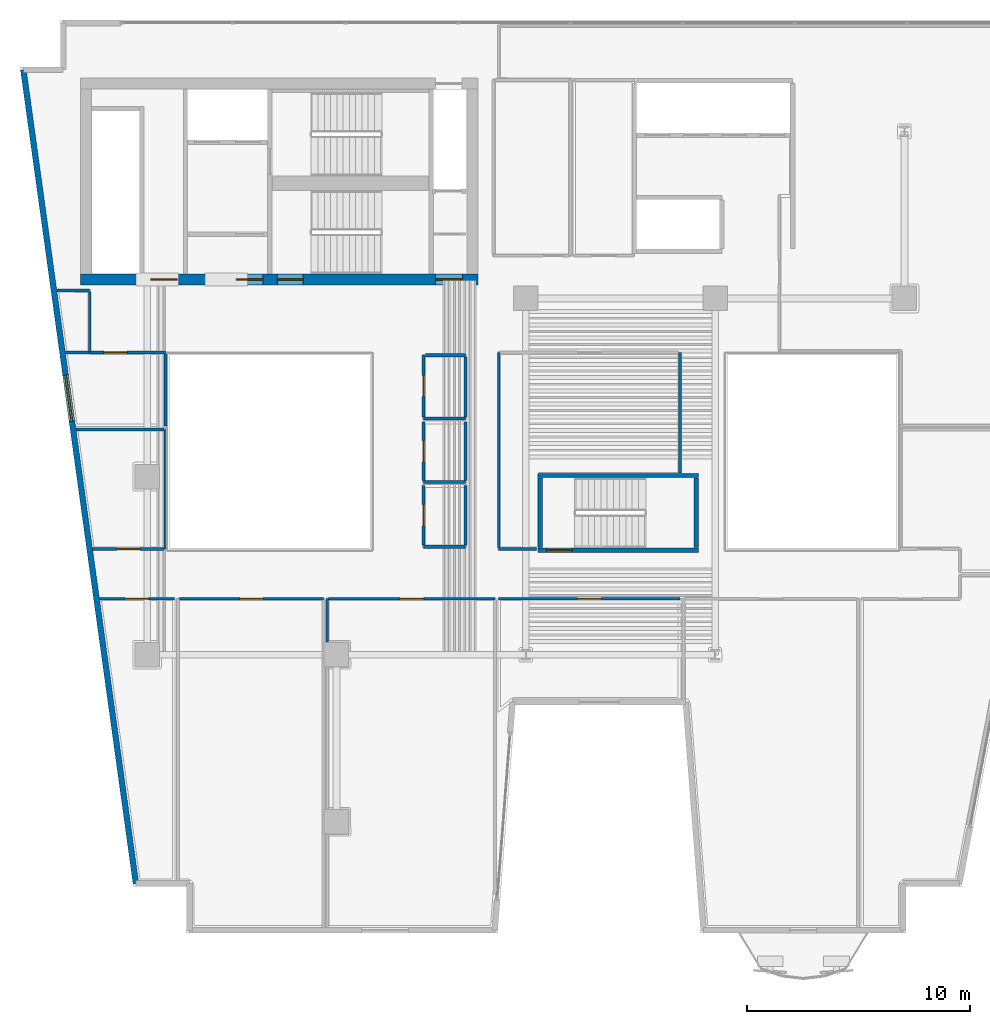
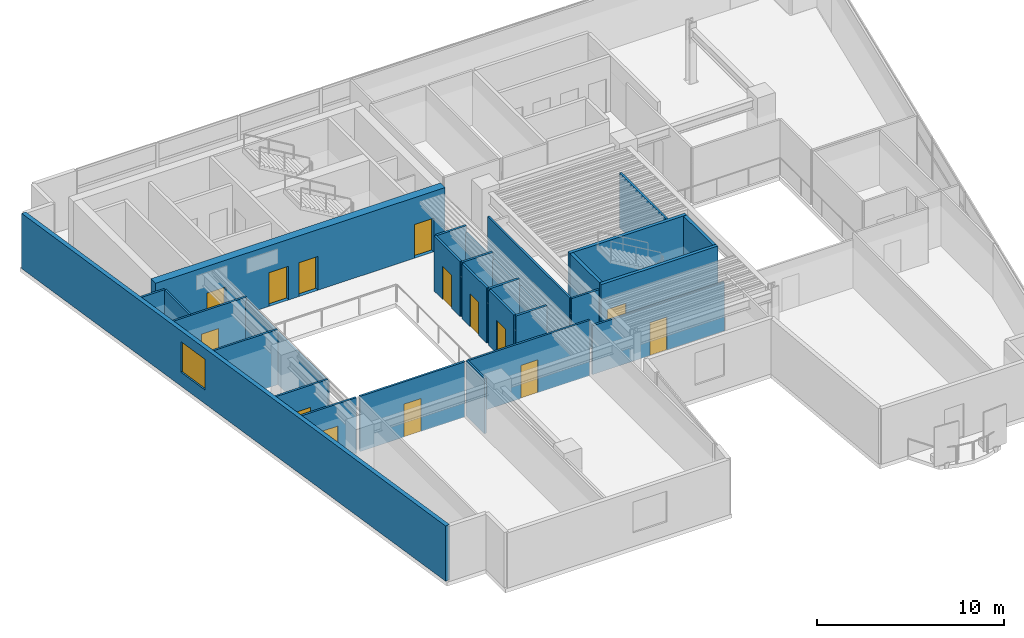
# One storey, part 7 of 14: 31 walls, 14 doors, 1 window, 15 openings.
"""IFC4 building model written with IfcOpenShell, lengths in metres."""

from ifc_helpers import new_model, si_unit, direction, frame, frame_2d, origin, place, context, subcontext, project, spatial, rectangle, extrude, material, layer, layer_set, type_object, element, fill, save


model = new_model("IFC4")

# Units and contexts
model_context = context("Model", 3, precision=1e-05, world=origin(), true_north=direction((0.0, 1.0)))
body_context = subcontext(model_context, "Body", "Model", "MODEL_VIEW")
ifc_project = project(units=[si_unit("LENGTHUNIT", "METRE"), si_unit("AREAUNIT", "SQUARE_METRE"), si_unit("VOLUMEUNIT", "CUBIC_METRE"), si_unit("PLANEANGLEUNIT", "RADIAN"), si_unit("MASSUNIT", "GRAM", prefix="KILO")], contexts=[model_context])

# Site, building, storey
site_placement = place(None, origin())
site = spatial("IfcSite", under=ifc_project, at=site_placement, CompositionType="ELEMENT")
building_placement = place(site_placement, origin())
building = spatial("IfcBuilding", under=site, at=building_placement, Name="Caeloran Harvest Quay", CompositionType="ELEMENT")
storey_placement = place(building_placement, frame((0.0, 0.0, 174.60009765625)))
storey = spatial("IfcBuildingStorey", under=building, at=storey_placement, Name="L41", CompositionType="ELEMENT", Elevation=174.60009765625)

# Wall, opening, window
ifc_material_1 = material(Name="Precast concrete C50/60", Category="concrete")
ifc_layer_1 = layer(ifc_material_1, 0.260009765625, Name="Precast concrete C50/60")
ifc_layer_set_1 = layer_set([ifc_layer_1], Name="Precast concrete C50/60")
wall_type_1 = type_object("IfcWallType", Name="ENV-WALL-EW-260", PredefinedType="STANDARD", material=ifc_layer_set_1)
wall_1_placement = place(storey_placement, frame((7.992919921875, 4.72998046875, 0.0), z_axis=(0.0, 0.0, 1.0), x_axis=(-0.136989009016, 0.990572567462, 0.0)))
wall_1 = element("IfcWall", 1, at=wall_1_placement, inside=storey, type_object=wall_type_1, Name="L41 Exterior Precast Concrete Facade Wall 3", PredefinedType="STANDARD", context=body_context, shape_type="SweptSolid", body=[
    extrude(rectangle(XDim=36.8876953125, YDim=0.260009765625, at=frame_2d((18.44384765625, 0.0))), origin(), (0.0, 0.0, 1.0), 3.599853515625),
])
opening_1_placement = place(wall_1_placement, frame((20.949462890625, 0.0, 0.89990234375)))
opening_1 = element("IfcOpeningElement", 2, at=opening_1_placement, cuts=wall_1, Name="Opening W-06", PredefinedType="OPENING", context=body_context, shape_type="SweptSolid", body=[
    extrude(rectangle(XDim=2.10009765625, YDim=2.0, at=frame_2d((1.050048828125, 1.0))), frame((0.0, 0.14013671875, 0.0), z_axis=(0.0, -1.0, 0.0), x_axis=(1.0, 0.0, 0.0)), (0.0, 0.0, 1.0), 0.280029296875),
])
ifc_material_2 = material(Name="Aluminium-Framed Low-E Laminated Glass", Category="aluminium")
window_type = type_object("IfcWindowType", Name="WIN-W-06", PartitioningType="DOUBLE_PANEL_VERTICAL", PredefinedType="WINDOW", material=ifc_material_2)
window_placement = place(opening_1_placement, origin())
window = element("IfcWindow", 3, at=window_placement, inside=storey, type_object=window_type, Name="L41 Facade Punched Window W-06", OverallHeight=2.0, OverallWidth=2.10009765625, PartitioningType="DOUBLE_PANEL_VERTICAL", PredefinedType="WINDOW", context=body_context, shape_type="SweptSolid", body=[
    extrude(rectangle(XDim=2.10009765625, YDim=2.0, at=frame_2d((1.050048828125, 1.0))), frame((0.0, 0.030029296875, 0.0), z_axis=(0.0, -1.0, 0.0), x_axis=(1.0, 0.0, 0.0)), (0.0, 0.0, 1.0), 0.06005859375),
])
fill(opening_1, window)

# Wall
ifc_material_3 = material(Name="Twin-Stud Mineral-Wool Acoustic Gypsum Partition", Category="gypsum")
ifc_layer_2 = layer(ifc_material_3, 0.125, Name="Twin-Stud Mineral-Wool Acoustic Gypsum Partition")
ifc_layer_set_2 = layer_set([ifc_layer_2], Name="Twin-Stud Mineral-Wool Acoustic Gypsum Partition")
wall_type_2 = type_object("IfcWallType", Name="INT-WALL-PW-125", PredefinedType="PARTITIONING", material=ifc_layer_set_2)
wall_2_placement = place(storey_placement, frame((16.580078125, 15.574951171875, 0.0), z_axis=(0.0, 0.0, 1.0), x_axis=(0.0, 1.0, 0.0)))
element("IfcWall", 4, at=wall_2_placement, inside=storey, type_object=wall_type_2, Name="Agri-Design Innovation Studio Partition Wall", PredefinedType="PARTITIONING", context=body_context, shape_type="SweptSolid", body=[
    extrude(rectangle(XDim=1.945068359375, YDim=0.125, at=frame_2d((0.97265625, 0.0))), origin(), (0.0, 0.0, 1.0), 3.599853515625),
])

# Wall, opening, door
wall_3_placement = place(storey_placement, frame((16.6474609375, 17.52001953125, 0.0), z_axis=(0.0, 0.0, 1.0), x_axis=(1.0, 0.0, 0.0)))
wall_3 = element("IfcWall", 5, at=wall_3_placement, inside=storey, type_object=wall_type_2, Name="Agri-Design Innovation Studio Partition Wall", PredefinedType="PARTITIONING", context=body_context, shape_type="SweptSolid", body=[
    extrude(rectangle(XDim=7.47265625, YDim=0.125, at=frame_2d((3.736328125, 0.0))), origin(), (0.0, 0.0, 1.0), 3.599853515625),
])
opening_2_placement = place(wall_3_placement, frame((3.211181640625, 0.0, 0.0)))
opening_2 = element("IfcOpeningElement", 6, at=opening_2_placement, cuts=wall_3, Name="Opening ID-03", PredefinedType="OPENING", context=body_context, shape_type="SweptSolid", body=[
    extrude(rectangle(XDim=1.050048828125, YDim=2.14990234375, at=frame_2d((0.52490234375, 1.074951171875))), frame((0.0, 0.072509765625, 0.0), z_axis=(0.0, -1.0, 0.0), x_axis=(1.0, 0.0, 0.0)), (0.0, 0.0, 1.0), 0.14501953125),
])
ifc_material_4 = material(Name="FSC Solid-Core Oak Timber Leaf", Category="wood")
door_type_1 = type_object("IfcDoorType", Name="INTDOOR-ID-03", OperationType="NOTDEFINED", PredefinedType="DOOR", material=ifc_material_4)
door_1_placement = place(opening_2_placement, origin())
door_1 = element("IfcDoor", 7, at=door_1_placement, inside=storey, type_object=door_type_1, Name="Agri-Design Innovation Studio Access Door", OperationType="SINGLE_SWING_RIGHT", OverallHeight=2.14990234375, OverallWidth=1.050048828125, PredefinedType="DOOR", context=body_context, shape_type="SweptSolid", body=[
    extrude(rectangle(XDim=1.050048828125, YDim=2.14990234375, at=frame_2d((0.52490234375, 1.074951171875))), frame((0.0, 0.02490234375, 0.0), z_axis=(0.0, -1.0, 0.0), x_axis=(1.0, 0.0, 0.0)), (0.0, 0.0, 1.0), 0.050048828125),
])
fill(opening_2, door_1)

wall_4_placement = place(storey_placement, frame((9.947509765625, 17.52001953125, 0.0), z_axis=(0.0, 0.0, 1.0), x_axis=(1.0, 0.0, 0.0)))
wall_4 = element("IfcWall", 8, at=wall_4_placement, inside=storey, type_object=wall_type_2, Name="Hospitality Tasting Dining Kitchen Partition Wall", PredefinedType="PARTITIONING", context=body_context, shape_type="SweptSolid", body=[
    extrude(rectangle(XDim=6.472412109375, YDim=0.125, at=frame_2d((3.236328125, 0.0))), origin(), (0.0, 0.0, 1.0), 3.599853515625),
])
opening_3_placement = place(wall_4_placement, frame((2.711181640625, 0.0, 0.0)))
opening_3 = element("IfcOpeningElement", 9, at=opening_3_placement, cuts=wall_4, Name="Opening ID-03", PredefinedType="OPENING", context=body_context, shape_type="SweptSolid", body=[
    extrude(rectangle(XDim=1.050048828125, YDim=2.14990234375, at=frame_2d((0.52490234375, 1.074951171875))), frame((0.0, 0.072509765625, 0.0), z_axis=(0.0, -1.0, 0.0), x_axis=(1.0, 0.0, 0.0)), (0.0, 0.0, 1.0), 0.14501953125),
])
door_2_placement = place(opening_3_placement, origin())
door_2 = element("IfcDoor", 10, at=door_2_placement, inside=storey, type_object=door_type_1, Name="Hospitality Tasting Dining Kitchen Access Door", OperationType="SINGLE_SWING_LEFT", OverallHeight=2.14990234375, OverallWidth=1.050048828125, PredefinedType="DOOR", context=body_context, shape_type="SweptSolid", body=[
    extrude(rectangle(XDim=1.050048828125, YDim=2.14990234375, at=frame_2d((0.52490234375, 1.074951171875))), frame((0.0, 0.02490234375, 0.0), z_axis=(0.0, -1.0, 0.0), x_axis=(1.0, 0.0, 0.0)), (0.0, 0.0, 1.0), 0.050048828125),
])
fill(opening_3, door_2)

wall_5_placement = place(storey_placement, frame((6.3603515625, 17.52001953125, 0.0), z_axis=(0.0, 0.0, 1.0), x_axis=(1.0, 0.0, 0.0)))
wall_5 = element("IfcWall", 11, at=wall_5_placement, inside=storey, type_object=wall_type_2, Name="Executive Chef Kitchen Partition Wall", PredefinedType="PARTITIONING", context=body_context, shape_type="SweptSolid", body=[
    extrude(rectangle(XDim=3.359619140625, YDim=0.125, at=frame_2d((1.6796875, 0.0))), origin(), (0.0, 0.0, 1.0), 3.599853515625),
])
opening_4_placement = place(wall_5_placement, frame((1.15478515625, 0.0, 0.0)))
opening_4 = element("IfcOpeningElement", 12, at=opening_4_placement, cuts=wall_5, Name="Opening ID-03", PredefinedType="OPENING", context=body_context, shape_type="SweptSolid", body=[
    extrude(rectangle(XDim=1.050048828125, YDim=2.14990234375, at=frame_2d((0.52490234375, 1.074951171875))), frame((0.0, 0.072509765625, 0.0), z_axis=(0.0, -1.0, 0.0), x_axis=(1.0, 0.0, 0.0)), (0.0, 0.0, 1.0), 0.14501953125),
])
door_3_placement = place(opening_4_placement, origin())
door_3 = element("IfcDoor", 13, at=door_3_placement, inside=storey, type_object=door_type_1, Name="Executive Chef Kitchen Access Door", OperationType="SINGLE_SWING_RIGHT", OverallHeight=2.14990234375, OverallWidth=1.050048828125, PredefinedType="DOOR", context=body_context, shape_type="SweptSolid", body=[
    extrude(rectangle(XDim=1.050048828125, YDim=2.14990234375, at=frame_2d((0.52490234375, 1.074951171875))), frame((0.0, 0.02490234375, 0.0), z_axis=(0.0, -1.0, 0.0), x_axis=(1.0, 0.0, 0.0)), (0.0, 0.0, 1.0), 0.050048828125),
])
fill(opening_4, door_3)

wall_6_placement = place(storey_placement, frame((24.280029296875, 17.52001953125, 0.0), z_axis=(0.0, 0.0, 1.0), x_axis=(1.0, 0.0, 0.0)))
wall_6 = element("IfcWall", 14, at=wall_6_placement, inside=storey, type_object=wall_type_2, Name="Media Broadcast Studio Partition Wall", PredefinedType="PARTITIONING", context=body_context, shape_type="SweptSolid", body=[
    extrude(rectangle(XDim=8.139892578125, YDim=0.125, at=frame_2d((4.06982421875, 0.0))), origin(), (0.0, 0.0, 1.0), 3.184814453125),
])
opening_5_placement = place(wall_6_placement, frame((3.544921875, 0.0, 0.0)))
opening_5 = element("IfcOpeningElement", 15, at=opening_5_placement, cuts=wall_6, Name="Opening ID-03", PredefinedType="OPENING", context=body_context, shape_type="SweptSolid", body=[
    extrude(rectangle(XDim=1.050048828125, YDim=2.14990234375, at=frame_2d((0.52490234375, 1.074951171875))), frame((0.0, 0.072509765625, 0.0), z_axis=(0.0, -1.0, 0.0), x_axis=(1.0, 0.0, 0.0)), (0.0, 0.0, 1.0), 0.14501953125),
])
door_4_placement = place(opening_5_placement, origin())
door_4 = element("IfcDoor", 16, at=door_4_placement, inside=storey, type_object=door_type_1, Name="Media Broadcast Studio Access Door", OperationType="SINGLE_SWING_LEFT", OverallHeight=2.14990234375, OverallWidth=1.050048828125, PredefinedType="DOOR", context=body_context, shape_type="SweptSolid", body=[
    extrude(rectangle(XDim=1.050048828125, YDim=2.14990234375, at=frame_2d((0.52490234375, 1.074951171875))), frame((0.0, 0.02490234375, 0.0), z_axis=(0.0, -1.0, 0.0), x_axis=(1.0, 0.0, 0.0)), (0.0, 0.0, 1.0), 0.050048828125),
])
fill(opening_5, door_4)

# Wall
wall_7_placement = place(storey_placement, frame((9.320068359375, 25.1201171875, 0.0), z_axis=(0.0, 0.0, 1.0), x_axis=(0.0, -1.0, 0.0)))
element("IfcWall", 17, at=wall_7_placement, inside=storey, type_object=wall_type_2, Name="Agri-Design Innovation Studio 8 Partition Wall", PredefinedType="PARTITIONING", context=body_context, shape_type="SweptSolid", body=[
    extrude(rectangle(XDim=5.3701171875, YDim=0.125, at=frame_2d((2.68505859375, 0.0))), origin(), (0.0, 0.0, 1.0), 3.385009765625),
])

# Wall, opening, door
wall_8_placement = place(storey_placement, frame((9.25244140625, 19.75, 0.0), z_axis=(0.0, 0.0, 1.0), x_axis=(-1.0, 0.0, 0.0)))
wall_8 = element("IfcWall", 18, at=wall_8_placement, inside=storey, type_object=wall_type_2, Name="Agri-Design Innovation Studio 8 Partition Wall", PredefinedType="PARTITIONING", context=body_context, shape_type="SweptSolid", body=[
    extrude(rectangle(XDim=3.200439453125, YDim=0.125, at=frame_2d((1.60009765625, 0.0))), origin(), (0.0, 0.0, 1.0), 3.599853515625),
])
opening_6_placement = place(wall_8_placement, frame((1.0751953125, 0.0, 0.0)))
opening_6 = element("IfcOpeningElement", 19, at=opening_6_placement, cuts=wall_8, Name="Opening ID-03", PredefinedType="OPENING", context=body_context, shape_type="SweptSolid", body=[
    extrude(rectangle(XDim=1.050048828125, YDim=2.14990234375, at=frame_2d((0.52490234375, 1.074951171875))), frame((0.0, 0.072509765625, 0.0), z_axis=(0.0, -1.0, 0.0), x_axis=(1.0, 0.0, 0.0)), (0.0, 0.0, 1.0), 0.14501953125),
])
door_5_placement = place(opening_6_placement, origin())
door_5 = element("IfcDoor", 20, at=door_5_placement, inside=storey, type_object=door_type_1, Name="Agri-Design Innovation Studio 8 Access Door", OperationType="SINGLE_SWING_LEFT", OverallHeight=2.14990234375, OverallWidth=1.050048828125, PredefinedType="DOOR", context=body_context, shape_type="SweptSolid", body=[
    extrude(rectangle(XDim=1.050048828125, YDim=2.14990234375, at=frame_2d((0.52490234375, 1.074951171875))), frame((0.0, 0.02490234375, 0.0), z_axis=(0.0, -1.0, 0.0), x_axis=(1.0, 0.0, 0.0)), (0.0, 0.0, 1.0), 0.050048828125),
])
fill(opening_6, door_5)

# Walls
wall_9_placement = place(storey_placement, frame((5.309326171875, 25.1201171875, 0.0), z_axis=(0.0, 0.0, 1.0), x_axis=(1.0, 0.0, 0.0)))
element("IfcWall", 21, at=wall_9_placement, inside=storey, type_object=wall_type_2, Name="Agri-Design Innovation Studio 8 Partition Wall", PredefinedType="PARTITIONING", context=body_context, shape_type="SweptSolid", body=[
    extrude(rectangle(XDim=3.943115234375, YDim=0.125, at=frame_2d((1.9716796875, 0.0))), origin(), (0.0, 0.0, 1.0), 3.599853515625),
])
wall_10_placement = place(storey_placement, frame((32.419921875, 28.570068359375, 0.0), z_axis=(0.0, 0.0, 1.0), x_axis=(0.0, -1.0, 0.0)))
element("IfcWall", 22, at=wall_10_placement, inside=storey, type_object=wall_type_2, Name="Hospitality Tasting Dining Kitchen 9 Partition Wall", PredefinedType="PARTITIONING", context=body_context, shape_type="SweptSolid", body=[
    extrude(rectangle(XDim=5.4150390625, YDim=0.125, at=frame_2d((2.70751953125, 0.0))), origin(), (0.0, 0.0, 1.0), 3.599853515625),
])
wall_11_placement = place(storey_placement, frame((25.9755859375, 19.75, 0.0), z_axis=(0.0, 0.0, 1.0), x_axis=(-1.0, 0.0, 0.0)))
element("IfcWall", 23, at=wall_11_placement, inside=storey, type_object=wall_type_2, Name="Hospitality Tasting Dining Kitchen 9 Partition Wall", PredefinedType="PARTITIONING", context=body_context, shape_type="SweptSolid", body=[
    extrude(rectangle(XDim=1.695556640625, YDim=0.125, at=frame_2d((0.84765625, 0.0))), origin(), (0.0, 0.0, 1.0), 3.599853515625),
])
wall_12_placement = place(storey_placement, frame((24.280029296875, 19.8173828125, 0.0), z_axis=(0.0, 0.0, 1.0), x_axis=(0.0, 1.0, 0.0)))
element("IfcWall", 24, at=wall_12_placement, inside=storey, type_object=wall_type_2, Name="Hospitality Tasting Dining Kitchen 9 Partition Wall", PredefinedType="PARTITIONING", context=body_context, shape_type="SweptSolid", body=[
    extrude(rectangle(XDim=8.752685546875, YDim=0.125, at=frame_2d((4.37646484375, 0.0))), origin(), (0.0, 0.0, 1.0), 3.599853515625),
])
wall_13_placement = place(storey_placement, frame((4.44775390625, 31.35009765625, 0.0), z_axis=(0.0, 0.0, 1.0), x_axis=(1.0, 0.0, 0.0)))
element("IfcWall", 25, at=wall_13_placement, inside=storey, type_object=wall_type_2, Name="Culinary Product Studio 10 Partition Wall", PredefinedType="PARTITIONING", context=body_context, shape_type="SweptSolid", body=[
    extrude(rectangle(XDim=1.47216796875, YDim=0.125, at=frame_2d((0.736083984375, 0.0))), origin(), (0.0, 0.0, 1.0), 3.599853515625),
])
wall_14_placement = place(storey_placement, frame((5.919921875, 31.282470703125, 0.0), z_axis=(0.0, 0.0, 1.0), x_axis=(0.0, -1.0, 0.0)))
element("IfcWall", 26, at=wall_14_placement, inside=storey, type_object=wall_type_2, Name="Culinary Product Studio 10 Partition Wall", PredefinedType="PARTITIONING", context=body_context, shape_type="SweptSolid", body=[
    extrude(rectangle(XDim=2.682373046875, YDim=0.125, at=frame_2d((1.34130859375, 0.0))), origin(), (0.0, 0.0, 1.0), 3.599853515625),
])

# Wall, opening, door
wall_15_placement = place(storey_placement, frame((4.832275390625, 28.570068359375, 0.0), z_axis=(0.0, 0.0, 1.0), x_axis=(1.0, 0.0, 0.0)))
wall_15 = element("IfcWall", 27, at=wall_15_placement, inside=storey, type_object=wall_type_2, Name="Culinary Product Studio 10 Partition Wall", PredefinedType="PARTITIONING", context=body_context, shape_type="SweptSolid", body=[
    extrude(rectangle(XDim=4.48779296875, YDim=0.125, at=frame_2d((2.243896484375, 0.0))), origin(), (0.0, 0.0, 1.0), 3.599853515625),
])
opening_7_placement = place(wall_15_placement, frame((1.718994140625, 0.0, 0.0)))
opening_7 = element("IfcOpeningElement", 28, at=opening_7_placement, cuts=wall_15, Name="Opening ID-03", PredefinedType="OPENING", context=body_context, shape_type="SweptSolid", body=[
    extrude(rectangle(XDim=1.050048828125, YDim=2.14990234375, at=frame_2d((0.52490234375, 1.074951171875))), frame((0.0, 0.072509765625, 0.0), z_axis=(0.0, -1.0, 0.0), x_axis=(1.0, 0.0, 0.0)), (0.0, 0.0, 1.0), 0.14501953125),
])
door_6_placement = place(opening_7_placement, origin())
door_6 = element("IfcDoor", 29, at=door_6_placement, inside=storey, type_object=door_type_1, Name="Culinary Product Studio 10 Access Door", OperationType="SINGLE_SWING_LEFT", OverallHeight=2.14990234375, OverallWidth=1.050048828125, PredefinedType="DOOR", context=body_context, shape_type="SweptSolid", body=[
    extrude(rectangle(XDim=1.050048828125, YDim=2.14990234375, at=frame_2d((0.52490234375, 1.074951171875))), frame((0.0, 0.02490234375, 0.0), z_axis=(0.0, -1.0, 0.0), x_axis=(1.0, 0.0, 0.0)), (0.0, 0.0, 1.0), 0.050048828125),
])
fill(opening_7, door_6)

# Walls
wall_16_placement = place(storey_placement, frame((9.320068359375, 28.50244140625, 0.0), z_axis=(0.0, 0.0, 1.0), x_axis=(0.0, -1.0, 0.0)))
element("IfcWall", 30, at=wall_16_placement, inside=storey, type_object=wall_type_2, Name="Culinary Product Studio 10 Partition Wall", PredefinedType="PARTITIONING", context=body_context, shape_type="SweptSolid", body=[
    extrude(rectangle(XDim=3.222412109375, YDim=0.125, at=frame_2d((1.611328125, 0.0))), origin(), (0.0, 0.0, 1.0), 3.385009765625),
])
ifc_material_5 = material(Name="Moisture-Resistant Cement-Board Sanitary Partition", Category="gypsum")
ifc_layer_3 = layer(ifc_material_5, 0.139892578125, Name="Moisture-Resistant Cement-Board Sanitary Partition")
ifc_layer_set_3 = layer_set([ifc_layer_3], Name="Moisture-Resistant Cement-Board Sanitary Partition")
wall_type_3 = type_object("IfcWallType", Name="INT-WALL-PW-140", PredefinedType="PARTITIONING", material=ifc_layer_set_3)
wall_17_placement = place(storey_placement, frame((22.800048828125, 25.60009765625, 0.0), z_axis=(0.0, 0.0, 1.0), x_axis=(-1.0, 0.0, 0.0)))
element("IfcWall", 31, at=wall_17_placement, inside=storey, type_object=wall_type_3, Name="L41 Male Washroom WC Partition Wall", PredefinedType="PARTITIONING", context=body_context, shape_type="SweptSolid", body=[
    extrude(rectangle(XDim=1.89013671875, YDim=0.139892578125, at=frame_2d((0.945068359375, 0.0))), origin(), (0.0, 0.0, 1.0), 3.599853515625),
])

# Wall, opening, door
wall_18_placement = place(storey_placement, frame((20.909912109375, 25.675048828125, 0.0), z_axis=(0.0, 0.0, 1.0), x_axis=(0.0, 1.0, 0.0)))
wall_18 = element("IfcWall", 32, at=wall_18_placement, inside=storey, type_object=wall_type_3, Name="L41 Male Washroom WC Partition Wall", PredefinedType="PARTITIONING", context=body_context, shape_type="SweptSolid", body=[
    extrude(rectangle(XDim=2.77490234375, YDim=0.139892578125, at=frame_2d((1.387451171875, 0.0))), origin(), (0.0, 0.0, 1.0), 3.599853515625),
])
opening_8_placement = place(wall_18_placement, frame((0.91259765625, 0.0, 0.0)))
opening_8 = element("IfcOpeningElement", 33, at=opening_8_placement, cuts=wall_18, Name="Opening WC-01", PredefinedType="OPENING", context=body_context, shape_type="SweptSolid", body=[
    extrude(rectangle(XDim=0.949951171875, YDim=2.14990234375, at=frame_2d((0.47509765625, 1.074951171875))), frame((0.0, 0.080078125, 0.0), z_axis=(0.0, -1.0, 0.0), x_axis=(1.0, 0.0, 0.0)), (0.0, 0.0, 1.0), 0.159912109375),
])
ifc_material_6 = material(Name="High-Pressure Laminate Moisture-Resistant Timber", Category="wood")
door_type_2 = type_object("IfcDoorType", Name="INTDOOR-WC-01", OperationType="NOTDEFINED", PredefinedType="DOOR", material=ifc_material_6)
door_7_placement = place(opening_8_placement, origin())
door_7 = element("IfcDoor", 34, at=door_7_placement, inside=storey, type_object=door_type_2, Name="L41 Male Washroom WC Access Door", OperationType="SINGLE_SWING_LEFT", OverallHeight=2.14990234375, OverallWidth=0.949951171875, PredefinedType="DOOR", context=body_context, shape_type="SweptSolid", body=[
    extrude(rectangle(XDim=0.949951171875, YDim=2.14990234375, at=frame_2d((0.47509765625, 1.074951171875))), frame((0.0, 0.02490234375, 0.0), z_axis=(0.0, -1.0, 0.0), x_axis=(1.0, 0.0, 0.0)), (0.0, 0.0, 1.0), 0.050048828125),
])
fill(opening_8, door_7)

# Walls
wall_19_placement = place(storey_placement, frame((20.985107421875, 28.449951171875, 0.0), z_axis=(0.0, 0.0, 1.0), x_axis=(1.0, 0.0, 0.0)))
element("IfcWall", 35, at=wall_19_placement, inside=storey, type_object=wall_type_3, Name="L41 Male Washroom WC Partition Wall", PredefinedType="PARTITIONING", context=body_context, shape_type="SweptSolid", body=[
    extrude(rectangle(XDim=1.81494140625, YDim=0.139892578125, at=frame_2d((0.907470703125, 0.0))), origin(), (0.0, 0.0, 1.0), 3.599853515625),
])
wall_20_placement = place(storey_placement, frame((22.800048828125, 28.375, 0.0), z_axis=(0.0, 0.0, 1.0), x_axis=(0.0, -1.0, 0.0)))
element("IfcWall", 36, at=wall_20_placement, inside=storey, type_object=wall_type_3, Name="L41 Male Washroom WC Partition Wall", PredefinedType="PARTITIONING", context=body_context, shape_type="SweptSolid", body=[
    extrude(rectangle(XDim=2.699951171875, YDim=0.139892578125, at=frame_2d((1.35009765625, 0.0))), origin(), (0.0, 0.0, 1.0), 3.184814453125),
])
wall_21_placement = place(storey_placement, frame((22.800048828125, 22.75, 0.0), z_axis=(0.0, 0.0, 1.0), x_axis=(-1.0, 0.0, 0.0)))
element("IfcWall", 37, at=wall_21_placement, inside=storey, type_object=wall_type_3, Name="L41 Female Washroom WC Partition Wall", PredefinedType="PARTITIONING", context=body_context, shape_type="SweptSolid", body=[
    extrude(rectangle(XDim=1.89013671875, YDim=0.139892578125, at=frame_2d((0.945068359375, 0.0))), origin(), (0.0, 0.0, 1.0), 3.599853515625),
])

# Wall, opening, door
wall_22_placement = place(storey_placement, frame((20.909912109375, 22.824951171875, 0.0), z_axis=(0.0, 0.0, 1.0), x_axis=(0.0, 1.0, 0.0)))
wall_22 = element("IfcWall", 38, at=wall_22_placement, inside=storey, type_object=wall_type_3, Name="L41 Female Washroom WC Partition Wall", PredefinedType="PARTITIONING", context=body_context, shape_type="SweptSolid", body=[
    extrude(rectangle(XDim=2.625, YDim=0.139892578125, at=frame_2d((1.3125, 0.0))), origin(), (0.0, 0.0, 1.0), 3.599853515625),
])
opening_9_placement = place(wall_22_placement, frame((0.83740234375, 0.0, 0.0)))
opening_9 = element("IfcOpeningElement", 39, at=opening_9_placement, cuts=wall_22, Name="Opening WC-01", PredefinedType="OPENING", context=body_context, shape_type="SweptSolid", body=[
    extrude(rectangle(XDim=0.949951171875, YDim=2.14990234375, at=frame_2d((0.47509765625, 1.074951171875))), frame((0.0, 0.080078125, 0.0), z_axis=(0.0, -1.0, 0.0), x_axis=(1.0, 0.0, 0.0)), (0.0, 0.0, 1.0), 0.159912109375),
])
door_8_placement = place(opening_9_placement, origin())
door_8 = element("IfcDoor", 40, at=door_8_placement, inside=storey, type_object=door_type_2, Name="L41 Female Washroom WC Access Door", OperationType="SINGLE_SWING_RIGHT", OverallHeight=2.14990234375, OverallWidth=0.949951171875, PredefinedType="DOOR", context=body_context, shape_type="SweptSolid", body=[
    extrude(rectangle(XDim=0.949951171875, YDim=2.14990234375, at=frame_2d((0.47509765625, 1.074951171875))), frame((0.0, 0.02490234375, 0.0), z_axis=(0.0, -1.0, 0.0), x_axis=(1.0, 0.0, 0.0)), (0.0, 0.0, 1.0), 0.050048828125),
])
fill(opening_9, door_8)

# Walls
wall_23_placement = place(storey_placement, frame((22.800048828125, 25.449951171875, 0.0), z_axis=(0.0, 0.0, 1.0), x_axis=(0.0, -1.0, 0.0)))
element("IfcWall", 41, at=wall_23_placement, inside=storey, type_object=wall_type_3, Name="L41 Female Washroom WC Partition Wall", PredefinedType="PARTITIONING", context=body_context, shape_type="SweptSolid", body=[
    extrude(rectangle(XDim=2.625, YDim=0.139892578125, at=frame_2d((1.3125, 0.0))), origin(), (0.0, 0.0, 1.0), 3.184814453125),
])
wall_24_placement = place(storey_placement, frame((22.800048828125, 19.85009765625, 0.0), z_axis=(0.0, 0.0, 1.0), x_axis=(-1.0, 0.0, 0.0)))
element("IfcWall", 42, at=wall_24_placement, inside=storey, type_object=wall_type_3, Name="L41 Accessible Unisex Washroom WC Partition Wall", PredefinedType="PARTITIONING", context=body_context, shape_type="SweptSolid", body=[
    extrude(rectangle(XDim=1.89013671875, YDim=0.139892578125, at=frame_2d((0.945068359375, 0.0))), origin(), (0.0, 0.0, 1.0), 3.599853515625),
])

# Wall, opening, door
wall_25_placement = place(storey_placement, frame((20.909912109375, 19.925048828125, 0.0), z_axis=(0.0, 0.0, 1.0), x_axis=(0.0, 1.0, 0.0)))
wall_25 = element("IfcWall", 43, at=wall_25_placement, inside=storey, type_object=wall_type_3, Name="L41 Accessible Unisex Washroom WC Partition Wall", PredefinedType="PARTITIONING", context=body_context, shape_type="SweptSolid", body=[
    extrude(rectangle(XDim=2.675048828125, YDim=0.139892578125, at=frame_2d((1.33740234375, 0.0))), origin(), (0.0, 0.0, 1.0), 3.599853515625),
])
opening_10_placement = place(wall_25_placement, frame((0.862548828125, 0.0, 0.0)))
opening_10 = element("IfcOpeningElement", 44, at=opening_10_placement, cuts=wall_25, Name="Opening WC-01", PredefinedType="OPENING", context=body_context, shape_type="SweptSolid", body=[
    extrude(rectangle(XDim=0.949951171875, YDim=2.14990234375, at=frame_2d((0.47509765625, 1.074951171875))), frame((0.0, 0.080078125, 0.0), z_axis=(0.0, -1.0, 0.0), x_axis=(1.0, 0.0, 0.0)), (0.0, 0.0, 1.0), 0.159912109375),
])
door_9_placement = place(opening_10_placement, origin())
door_9 = element("IfcDoor", 45, at=door_9_placement, inside=storey, type_object=door_type_2, Name="L41 Accessible Unisex Washroom WC Access Door", OperationType="SINGLE_SWING_LEFT", OverallHeight=2.14990234375, OverallWidth=0.949951171875, PredefinedType="DOOR", context=body_context, shape_type="SweptSolid", body=[
    extrude(rectangle(XDim=0.949951171875, YDim=2.14990234375, at=frame_2d((0.47509765625, 1.074951171875))), frame((0.0, 0.02490234375, 0.0), z_axis=(0.0, -1.0, 0.0), x_axis=(1.0, 0.0, 0.0)), (0.0, 0.0, 1.0), 0.050048828125),
])
fill(opening_10, door_9)

# Wall
wall_26_placement = place(storey_placement, frame((22.800048828125, 22.60009765625, 0.0), z_axis=(0.0, 0.0, 1.0), x_axis=(0.0, -1.0, 0.0)))
element("IfcWall", 46, at=wall_26_placement, inside=storey, type_object=wall_type_3, Name="L41 Accessible Unisex Washroom WC Partition Wall", PredefinedType="PARTITIONING", context=body_context, shape_type="SweptSolid", body=[
    extrude(rectangle(XDim=2.675048828125, YDim=0.139892578125, at=frame_2d((1.33740234375, 0.0))), origin(), (0.0, 0.0, 1.0), 3.184814453125),
])

# Wall, openings, doors
ifc_material_7 = material(Name="Concrete C70/85", Category="concrete")
ifc_layer_4 = layer(ifc_material_7, 0.5, Name="Concrete C70/85")
ifc_layer_set_4 = layer_set([ifc_layer_4], Name="Concrete C70/85")
wall_type_4 = type_object("IfcWallType", Name="STR-WALL-CW-500", PredefinedType="SHEAR", material=ifc_layer_set_4)
wall_27_placement = place(storey_placement, frame((5.5, 31.85009765625, 0.0), z_axis=(0.0, 0.0, 1.0), x_axis=(1.0, 0.0, 0.0)))
wall_27 = element("IfcWall", 47, at=wall_27_placement, inside=storey, type_object=wall_type_4, Name="L41 Rear Core Shear Wall S", PredefinedType="SHEAR", context=body_context, shape_type="SweptSolid", body=[
    extrude(rectangle(XDim=17.85009765625, YDim=0.5, at=frame_2d((8.925048828125, 0.0))), origin(), (0.0, 0.0, 1.0), 3.949951171875),
])
opening_11_placement = place(wall_27_placement, frame((3.14990234375, 0.0, 0.0)))
opening_11 = element("IfcOpeningElement", 48, at=opening_11_placement, cuts=wall_27, Name="Opening FD-01", PredefinedType="OPENING", context=body_context, shape_type="SweptSolid", body=[
    extrude(rectangle(XDim=1.199951171875, YDim=2.199951171875, at=frame_2d((0.60009765625, 1.10009765625))), frame((0.0, 0.260009765625, 0.0), z_axis=(0.0, -1.0, 0.0), x_axis=(1.0, 0.0, 0.0)), (0.0, 0.0, 1.0), 0.52001953125),
])
opening_12_placement = place(wall_27_placement, frame((7.0, 0.0, 0.0)))
opening_12 = element("IfcOpeningElement", 49, at=opening_12_placement, cuts=wall_27, Name="Opening FD-01", PredefinedType="OPENING", context=body_context, shape_type="SweptSolid", body=[
    extrude(rectangle(XDim=1.199951171875, YDim=2.199951171875, at=frame_2d((0.60009765625, 1.10009765625))), frame((0.0, 0.260009765625, 0.0), z_axis=(0.0, -1.0, 0.0), x_axis=(1.0, 0.0, 0.0)), (0.0, 0.0, 1.0), 0.52001953125),
])
opening_13_placement = place(wall_27_placement, frame((8.85009765625, 0.0, 0.0)))
opening_13 = element("IfcOpeningElement", 50, at=opening_13_placement, cuts=wall_27, Name="Opening SD-01", PredefinedType="OPENING", context=body_context, shape_type="SweptSolid", body=[
    extrude(rectangle(XDim=1.14990234375, YDim=2.199951171875, at=frame_2d((0.574951171875, 1.10009765625))), frame((0.0, 0.260009765625, 0.0), z_axis=(0.0, -1.0, 0.0), x_axis=(1.0, 0.0, 0.0)), (0.0, 0.0, 1.0), 0.52001953125),
])
opening_14_placement = place(wall_27_placement, frame((15.949951171875, 0.0, 0.0)))
opening_14 = element("IfcOpeningElement", 51, at=opening_14_placement, cuts=wall_27, Name="Opening FD-01", PredefinedType="OPENING", context=body_context, shape_type="SweptSolid", body=[
    extrude(rectangle(XDim=1.199951171875, YDim=2.199951171875, at=frame_2d((0.60009765625, 1.10009765625))), frame((0.0, 0.260009765625, 0.0), z_axis=(0.0, -1.0, 0.0), x_axis=(1.0, 0.0, 0.0)), (0.0, 0.0, 1.0), 0.52001953125),
])
ifc_material_8 = material(Name="Steel", Category="steel")
door_type_3 = type_object("IfcDoorType", Name="INTDOOR-FD-01", OperationType="NOTDEFINED", PredefinedType="DOOR", material=ifc_material_8)
door_10_placement = place(opening_11_placement, origin())
door_10 = element("IfcDoor", 52, at=door_10_placement, inside=storey, type_object=door_type_3, Name="L41 High-Rise Lift Lobby Fire Door", OperationType="SINGLE_SWING_RIGHT", OverallHeight=2.199951171875, OverallWidth=1.199951171875, PredefinedType="DOOR", context=body_context, shape_type="SweptSolid", body=[
    extrude(rectangle(XDim=1.199951171875, YDim=2.199951171875, at=frame_2d((0.60009765625, 1.10009765625))), frame((0.0, 0.02490234375, 0.0), z_axis=(0.0, -1.0, 0.0), x_axis=(1.0, 0.0, 0.0)), (0.0, 0.0, 1.0), 0.050048828125),
])
fill(opening_11, door_10)
door_11_placement = place(opening_12_placement, origin())
door_11 = element("IfcDoor", 53, at=door_11_placement, inside=storey, type_object=door_type_3, Name="L41 Firefighting Lobby Vestibule Fire Door", OperationType="SINGLE_SWING_LEFT", OverallHeight=2.199951171875, OverallWidth=1.199951171875, PredefinedType="DOOR", context=body_context, shape_type="SweptSolid", body=[
    extrude(rectangle(XDim=1.199951171875, YDim=2.199951171875, at=frame_2d((0.60009765625, 1.10009765625))), frame((0.0, 0.02490234375, 0.0), z_axis=(0.0, -1.0, 0.0), x_axis=(1.0, 0.0, 0.0)), (0.0, 0.0, 1.0), 0.050048828125),
])
fill(opening_12, door_11)
door_12_placement = place(opening_14_placement, origin())
door_12 = element("IfcDoor", 54, at=door_12_placement, inside=storey, type_object=door_type_3, Name="L41 Service Lift Lobby Fire Door", OperationType="SINGLE_SWING_LEFT", OverallHeight=2.199951171875, OverallWidth=1.199951171875, PredefinedType="DOOR", context=body_context, shape_type="SweptSolid", body=[
    extrude(rectangle(XDim=1.199951171875, YDim=2.199951171875, at=frame_2d((0.60009765625, 1.10009765625))), frame((0.0, 0.02490234375, 0.0), z_axis=(0.0, -1.0, 0.0), x_axis=(1.0, 0.0, 0.0)), (0.0, 0.0, 1.0), 0.050048828125),
])
fill(opening_14, door_12)
door_type_4 = type_object("IfcDoorType", Name="INTDOOR-SD-01", OperationType="NOTDEFINED", PredefinedType="DOOR", material=ifc_material_8)
door_13_placement = place(opening_13_placement, origin())
door_13 = element("IfcDoor", 55, at=door_13_placement, inside=storey, type_object=door_type_4, Name="L41 Protected Stair ST-C2 Exit Door", OperationType="SINGLE_SWING_RIGHT", OverallHeight=2.199951171875, OverallWidth=1.14990234375, PredefinedType="DOOR", context=body_context, shape_type="SweptSolid", body=[
    extrude(rectangle(XDim=1.14990234375, YDim=2.199951171875, at=frame_2d((0.574951171875, 1.10009765625))), frame((0.0, 0.02490234375, 0.0), z_axis=(0.0, -1.0, 0.0), x_axis=(1.0, 0.0, 0.0)), (0.0, 0.0, 1.0), 0.050048828125),
])
fill(opening_13, door_13)

# Wall, opening, door
ifc_material_9 = material(Name="Concrete C60/75", Category="concrete")
ifc_layer_5 = layer(ifc_material_9, 0.199951171875, Name="Concrete C60/75")
ifc_layer_set_5 = layer_set([ifc_layer_5], Name="Concrete C60/75")
wall_type_5 = type_object("IfcWallType", Name="STR-WALL-SW-200", PredefinedType="SHEAR", material=ifc_layer_set_5)
wall_28_placement = place(storey_placement, frame((26.050048828125, 19.699951171875, 0.0), z_axis=(0.0, 0.0, 1.0), x_axis=(1.0, 0.0, 0.0)))
wall_28 = element("IfcWall", 56, at=wall_28_placement, inside=storey, type_object=wall_type_5, Name="L41 Stair ST-W1 S RC Shaft Shear Wall", PredefinedType="SHEAR", context=body_context, shape_type="SweptSolid", body=[
    extrude(rectangle(XDim=7.199951171875, YDim=0.199951171875, at=frame_2d((3.60009765625, 0.0))), origin(), (0.0, 0.0, 1.0), 3.949951171875),
])
opening_15_placement = place(wall_28_placement, frame((0.3798828125, 0.0, 0.0)))
opening_15 = element("IfcOpeningElement", 57, at=opening_15_placement, cuts=wall_28, Name="Opening SD-01", PredefinedType="OPENING", context=body_context, shape_type="SweptSolid", body=[
    extrude(rectangle(XDim=1.14990234375, YDim=2.199951171875, at=frame_2d((0.574951171875, 1.10009765625))), frame((0.0, 0.10986328125, 0.0), z_axis=(0.0, -1.0, 0.0), x_axis=(1.0, 0.0, 0.0)), (0.0, 0.0, 1.0), 0.219970703125),
])
door_14_placement = place(opening_15_placement, origin())
door_14 = element("IfcDoor", 58, at=door_14_placement, inside=storey, type_object=door_type_4, Name="L41 Protected Exit Stair ST-W1 Fire Door", OperationType="SINGLE_SWING_LEFT", OverallHeight=2.199951171875, OverallWidth=1.14990234375, PredefinedType="DOOR", context=body_context, shape_type="SweptSolid", body=[
    extrude(rectangle(XDim=1.14990234375, YDim=2.199951171875, at=frame_2d((0.574951171875, 1.10009765625))), frame((0.0, 0.02490234375, 0.0), z_axis=(0.0, -1.0, 0.0), x_axis=(1.0, 0.0, 0.0)), (0.0, 0.0, 1.0), 0.050048828125),
])
fill(opening_15, door_14)

# Walls
wall_29_placement = place(storey_placement, frame((26.050048828125, 23.050048828125, 0.0), z_axis=(0.0, 0.0, 1.0), x_axis=(1.0, 0.0, 0.0)))
element("IfcWall", 59, at=wall_29_placement, inside=storey, type_object=wall_type_5, Name="L41 Stair ST-W1 N RC Shaft Shear Wall", PredefinedType="SHEAR", context=body_context, shape_type="SweptSolid", body=[
    extrude(rectangle(XDim=7.199951171875, YDim=0.199951171875, at=frame_2d((3.60009765625, 0.0))), origin(), (0.0, 0.0, 1.0), 3.949951171875),
])
for number, where, z_axis, x_axis, name in (
    (60, (26.14990234375, 19.81005859375, 0.0), (0.0, 0.0, 1.0), (0.0, 1.0, 0.0), "L41 Stair ST-W1 W RC Shaft Shear Wall"),
    (61, (33.14990234375, 19.81005859375, 0.0), (0.0, 0.0, 1.0), (0.0, 1.0, 0.0), "L41 Stair ST-W1 E RC Shaft Shear Wall"),
):
    element("IfcWall", number, at=place(storey_placement, frame(where, z_axis=z_axis, x_axis=x_axis)), inside=storey, type_object=wall_type_5, Name=name, PredefinedType="SHEAR", context=body_context, shape_type="SweptSolid", body=[
        extrude(rectangle(XDim=3.1298828125, YDim=0.199951171875, at=frame_2d((1.56494140625, 0.0))), origin(), (0.0, 0.0, 1.0), 3.949951171875),
    ])

save(model, "model.ifc")
